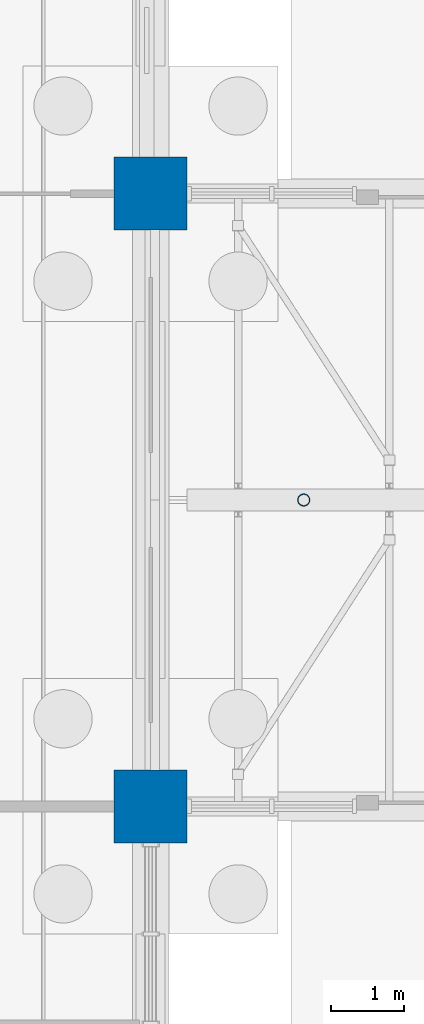
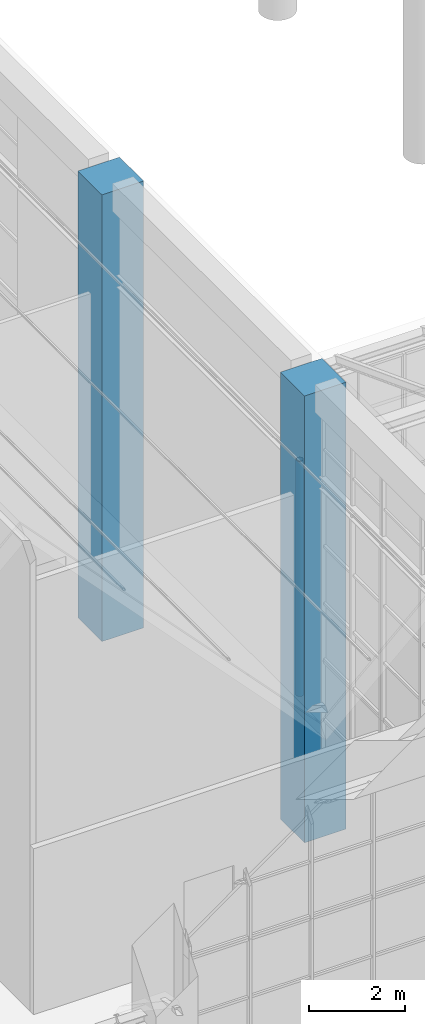
# One storey, part 17 of 138: 3 columns.
"""IFC4 building model written with IfcOpenShell, lengths in metres."""

from ifc_helpers import new_model, si_unit, direction, frame, origin, origin_2d, place, context, subcontext, project, spatial, rectangle, hollow_circle, extrude, material, material_profile, profile_set, type_object, element, save


model = new_model("IFC4")

# Units and contexts
model_context = context("Model", 3, precision=1e-05, world=origin(), true_north=direction((0.0, 1.0)))
body_context = subcontext(model_context, "Body", "Model", "MODEL_VIEW")
ifc_project = project(units=[si_unit("LENGTHUNIT", "METRE"), si_unit("AREAUNIT", "SQUARE_METRE"), si_unit("VOLUMEUNIT", "CUBIC_METRE"), si_unit("PLANEANGLEUNIT", "RADIAN"), si_unit("MASSUNIT", "GRAM", prefix="KILO")], contexts=[model_context])

# Site, building, storey
site_placement = place(None, origin())
site = spatial("IfcSite", under=ifc_project, at=site_placement, CompositionType="ELEMENT")
building_placement = place(site_placement, origin())
building = spatial("IfcBuilding", under=site, at=building_placement, Name="Yavir Park General Hospital", CompositionType="ELEMENT")
storey_placement = place(building_placement, origin())
storey = spatial("IfcBuildingStorey", under=building, at=storey_placement, Name="L00", CompositionType="ELEMENT", Elevation=0.0)

# Columns
ifc_material_1 = material(Name="Steel S355", Category="steel")
ifc_material_profile_1 = material_profile(ifc_material_1, hollow_circle(Radius=0.084228515625, WallThickness=0.008056640625, at=origin_2d()), Name="CHS168.3x8")
ifc_profile_set_1 = profile_set([ifc_material_profile_1], Name="Steel S355")
column_type_1 = type_object("IfcColumnType", Name="CHS 168.3x8 ridge post", PredefinedType="COLUMN", material=ifc_profile_set_1)
column_placement = place(storey_placement, frame((111.300048828125, 54.60009765625, 0.0), z_axis=(0.0, 0.0, 1.0), x_axis=(1.0, 0.0, 0.0)))
element("IfcColumn", 1, at=column_placement, inside=storey, type_object=column_type_1, Name="RF:CONC:frame:K:0", PredefinedType="COLUMN", context=body_context, shape_type="SweptSolid", body=[
    extrude(hollow_circle(Radius=0.084228515625, WallThickness=0.008056640625, at=origin_2d()), origin(), (0.0, 0.0, 1.0), 5.9580078125),
])
ifc_material_2 = material(Name="Concrete C40/50", Category="concrete")
ifc_material_profile_2 = material_profile(ifc_material_2, rectangle(XDim=1.0, YDim=1.0, at=origin_2d()), Name="RC1000x1000")
ifc_profile_set_2 = profile_set([ifc_material_profile_2], Name="Concrete C40/50")
column_type_2 = type_object("IfcColumnType", Name="RC COLUMN 1000x1000", PredefinedType="COLUMN", material=ifc_profile_set_2)
for number, where, z_axis, x_axis, name in (
    (2, (109.199951171875, 50.39990234375, 0.0), (0.0, 0.0, 1.0), (1.0, 0.0, 0.0), "C:L00:14G"),
    (3, (109.199951171875, 58.800048828125, 0.0), (0.0, 0.0, 1.0), (1.0, 0.0, 0.0), "C:L00:14H"),
):
    element("IfcColumn", number, at=place(storey_placement, frame(where, z_axis=z_axis, x_axis=x_axis)), inside=storey, type_object=column_type_2, Name=name, PredefinedType="COLUMN", context=body_context, shape_type="SweptSolid", body=[
        extrude(rectangle(XDim=1.0, YDim=1.0, at=origin_2d()), origin(), (0.0, 0.0, 1.0), 11.31201171875),
    ])

save(model, "model.ifc")
